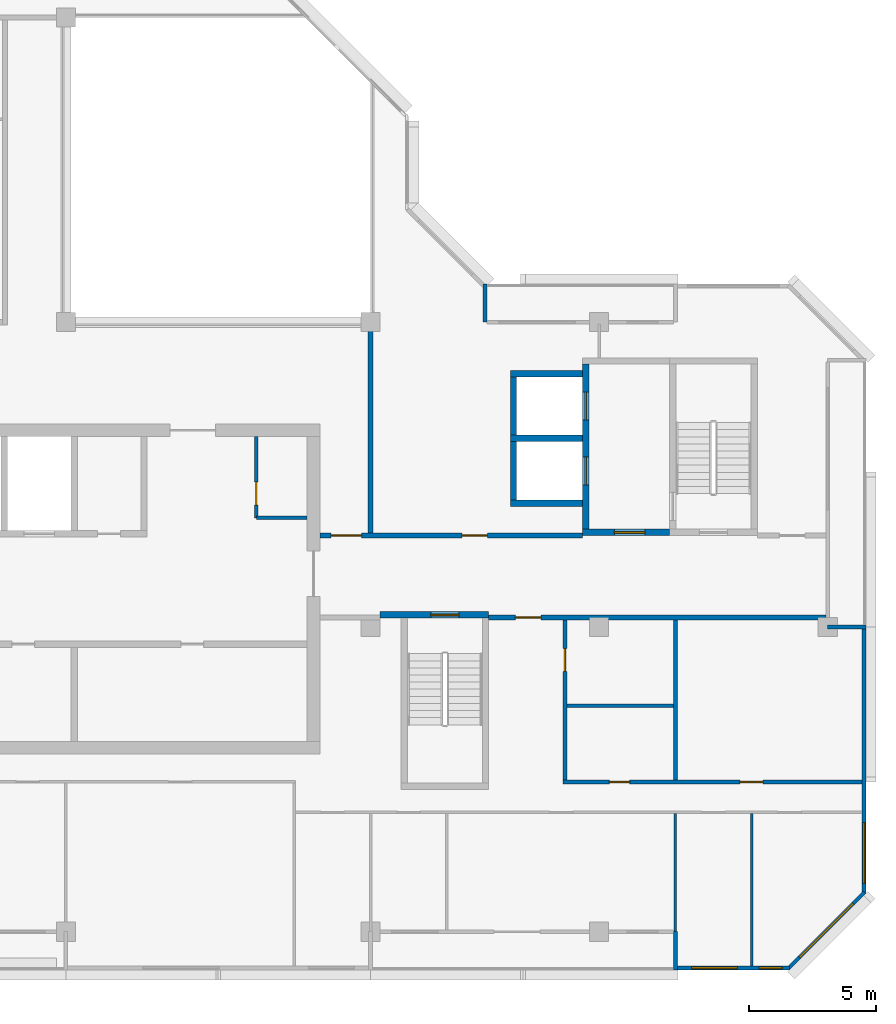
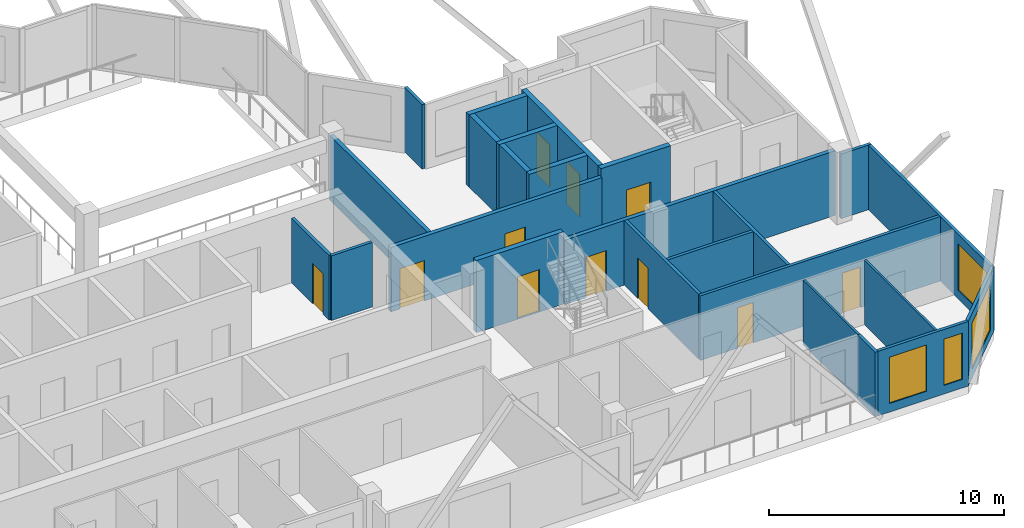
# One storey, part 6 of 11: 25 walls, 11 doors, 4 windows, 15 openings.
"""IFC4 building model written with IfcOpenShell, lengths in metres."""

from ifc_helpers import new_model, si_unit, direction, frame, frame_2d, origin, place, context, subcontext, project, spatial, rectangle, extrude, material, layer, layer_set, type_object, element, fill, save


model = new_model("IFC4")

# Units and contexts
model_context = context("Model", 3, precision=1e-05, world=origin(), true_north=direction((0.0, 1.0)))
body_context = subcontext(model_context, "Body", "Model", "MODEL_VIEW")
ifc_project = project(units=[si_unit("LENGTHUNIT", "METRE"), si_unit("AREAUNIT", "SQUARE_METRE"), si_unit("VOLUMEUNIT", "CUBIC_METRE"), si_unit("PLANEANGLEUNIT", "RADIAN"), si_unit("MASSUNIT", "GRAM", prefix="KILO")], contexts=[model_context])

# Site, building, storey
site_placement = place(None, origin())
site = spatial("IfcSite", under=ifc_project, at=site_placement, CompositionType="ELEMENT")
building_placement = place(site_placement, origin())
building = spatial("IfcBuilding", under=site, at=building_placement, Name="Chenar Terraces", CompositionType="ELEMENT")
storey_placement = place(building_placement, frame((0.0, 0.0, 376.39990234375)))
storey = spatial("IfcBuildingStorey", under=building, at=storey_placement, Name="L88", CompositionType="ELEMENT", Elevation=376.39990234375)

# Wall, opening, door
ifc_material_1 = material(Name="Gypsum board on steel studs", Category="steel")
ifc_layer_1 = layer(ifc_material_1, 0.14990234375)
ifc_layer_set_1 = layer_set([ifc_layer_1], Name="Gypsum board on steel studs")
wall_type_1 = type_object("IfcWallType", Name="Core partition 150 gypsum board", PredefinedType="PARTITIONING", material=ifc_layer_set_1)
wall_1_placement = place(storey_placement, frame((31.5, 16.300048828125, 0.0), z_axis=(0.0, 0.0, 1.0), x_axis=(0.0, 1.0, 0.0)))
wall_1 = element("IfcWall", 1, at=wall_1_placement, inside=storey, type_object=wall_type_1, Name="Core partition CP1 vestibule room west wall", PredefinedType="PARTITIONING", context=body_context, shape_type="SweptSolid", body=[
    extrude(rectangle(XDim=3.199951171875, YDim=0.14990234375, at=frame_2d((1.60009765625, 0.0))), origin(), (0.0, 0.0, 1.0), 3.35009765625),
])
opening_1_placement = place(wall_1_placement, frame((0.5, 0.0, 0.0)))
opening_1 = element("IfcOpeningElement", 2, at=opening_1_placement, cuts=wall_1, Name="Opening DL88-C17", PredefinedType="OPENING", context=body_context, shape_type="SweptSolid", body=[
    extrude(rectangle(XDim=0.89990234375, YDim=2.10009765625, at=frame_2d((0.449951171875, 1.050048828125))), frame((0.0, 0.0849609375, 0.0), z_axis=(0.0, -1.0, 0.0), x_axis=(1.0, 0.0, 0.0)), (0.0, 0.0, 1.0), 0.169921875),
])
ifc_material_2 = material(Name="Steel-framed fire-resisting door leaf", Category="steel")
door_type_1 = type_object("IfcDoorType", Name="Riser fire door FD60 900 x 2100", OperationType="SINGLE_SWING_LEFT", PredefinedType="DOOR", material=ifc_material_2)
door_1_placement = place(opening_1_placement, frame((0.89990234375, 0.0, 0.0), z_axis=(0.0, 0.0, 1.0), x_axis=(-1.0, 0.0, 0.0)))
door_1 = element("IfcDoor", 3, at=door_1_placement, inside=storey, type_object=door_type_1, Name="Core room door DL88-C17", OperationType="SINGLE_SWING_RIGHT", OverallHeight=2.10009765625, OverallWidth=0.89990234375, PredefinedType="DOOR", context=body_context, shape_type="SweptSolid", body=[
    extrude(rectangle(XDim=0.89990234375, YDim=2.10009765625, at=frame_2d((0.449951171875, 1.050048828125))), frame((0.0, 0.02490234375, 0.0), z_axis=(0.0, -1.0, 0.0), x_axis=(1.0, 0.0, 0.0)), (0.0, 0.0, 1.0), 0.050048828125),
])
fill(opening_1, door_1)

# Wall
wall_2_placement = place(storey_placement, frame((31.5, 16.300048828125, 0.0), z_axis=(0.0, 0.0, 1.0), x_axis=(1.0, 0.0, 0.0)))
element("IfcWall", 4, at=wall_2_placement, inside=storey, type_object=wall_type_1, Name="Core partition CP1 vestibule room south wall", PredefinedType="PARTITIONING", context=body_context, shape_type="SweptSolid", body=[
    extrude(rectangle(XDim=2.0, YDim=0.14990234375, at=frame_2d((1.0, 0.0))), origin(), (0.0, 0.0, 1.0), 3.35009765625),
])

# Wall, opening, door
ifc_material_3 = material(Name="Concrete C50/60", Category="concrete")
ifc_layer_2 = layer(ifc_material_3, 0.25)
ifc_layer_set_2 = layer_set([ifc_layer_2], Name="Concrete C50/60")
wall_type_2 = type_object("IfcWallType", Name="Core wall 250 Concrete C50/60", PredefinedType="SHEAR", material=ifc_layer_set_2)
wall_3_placement = place(storey_placement, frame((36.375, 12.47509765625, 0.0), z_axis=(0.0, 0.0, 1.0), x_axis=(1.0, 0.0, 0.0)))
wall_3 = element("IfcWall", 5, at=wall_3_placement, inside=storey, type_object=wall_type_2, Name="Core wall ST2_N L88", PredefinedType="SHEAR", context=body_context, shape_type="SweptSolid", body=[
    extrude(rectangle(XDim=4.27490234375, YDim=0.25, at=frame_2d((2.137451171875, 0.0))), origin(), (0.0, 0.0, 1.0), 3.75),
])
opening_2_placement = place(wall_3_placement, frame((2.0, 0.0, 0.0)))
opening_2 = element("IfcOpeningElement", 6, at=opening_2_placement, cuts=wall_3, Name="Opening DL88-C7", PredefinedType="OPENING", context=body_context, shape_type="SweptSolid", body=[
    extrude(rectangle(XDim=1.10009765625, YDim=2.199951171875, at=frame_2d((0.550048828125, 1.10009765625))), frame((0.0, 0.135009765625, 0.0), z_axis=(0.0, -1.0, 0.0), x_axis=(1.0, 0.0, 0.0)), (0.0, 0.0, 1.0), 0.27001953125),
])
ifc_material_4 = material(Name="Steel-framed fire-resisting door leaf", Category="steel")
door_type_2 = type_object("IfcDoorType", Name="Stair fire door FD60 1100 x 2200", OperationType="SINGLE_SWING_LEFT", PredefinedType="DOOR", material=ifc_material_4)
door_2_placement = place(opening_2_placement, frame((1.10009765625, 0.0, 0.0), z_axis=(0.0, 0.0, 1.0), x_axis=(-1.0, 0.0, 0.0)))
door_2 = element("IfcDoor", 7, at=door_2_placement, inside=storey, type_object=door_type_2, Name="Stair door DL88-C7", OperationType="SINGLE_SWING_LEFT", OverallHeight=2.199951171875, OverallWidth=1.10009765625, PredefinedType="DOOR", context=body_context, shape_type="SweptSolid", body=[
    extrude(rectangle(XDim=1.10009765625, YDim=2.199951171875, at=frame_2d((0.550048828125, 1.10009765625))), frame((0.0, 0.02490234375, 0.0), z_axis=(0.0, -1.0, 0.0), x_axis=(1.0, 0.0, 0.0)), (0.0, 0.0, 1.0), 0.050048828125),
])
fill(opening_2, door_2)

wall_4_placement = place(storey_placement, frame((44.35009765625, 15.72509765625, 0.0), z_axis=(0.0, 0.0, 1.0), x_axis=(1.0, 0.0, 0.0)))
wall_4 = element("IfcWall", 8, at=wall_4_placement, inside=storey, type_object=wall_type_2, Name="Core wall F3_LS L88", PredefinedType="SHEAR", context=body_context, shape_type="SweptSolid", body=[
    extrude(rectangle(XDim=3.4248046875, YDim=0.25, at=frame_2d((1.71240234375, 0.0))), origin(), (0.0, 0.0, 1.0), 3.75),
])
opening_3_placement = place(wall_4_placement, frame((1.25, 0.0, 0.0)))
opening_3 = element("IfcOpeningElement", 9, at=opening_3_placement, cuts=wall_4, Name="Opening DL88-C10", PredefinedType="OPENING", context=body_context, shape_type="SweptSolid", body=[
    extrude(rectangle(XDim=1.199951171875, YDim=2.199951171875, at=frame_2d((0.60009765625, 1.10009765625))), frame((0.0, 0.135009765625, 0.0), z_axis=(0.0, -1.0, 0.0), x_axis=(1.0, 0.0, 0.0)), (0.0, 0.0, 1.0), 0.27001953125),
])
ifc_material_5 = material(Name="Steel-framed fire-resisting door leaf", Category="steel")
door_type_3 = type_object("IfcDoorType", Name="Lobby fire door FD60 1200 x 2200", OperationType="SINGLE_SWING_LEFT", PredefinedType="DOOR", material=ifc_material_5)
door_3_placement = place(opening_3_placement, origin())
door_3 = element("IfcDoor", 10, at=door_3_placement, inside=storey, type_object=door_type_3, Name="Core door DL88-C10", OperationType="SINGLE_SWING_RIGHT", OverallHeight=2.199951171875, OverallWidth=1.199951171875, PredefinedType="DOOR", context=body_context, shape_type="SweptSolid", body=[
    extrude(rectangle(XDim=1.199951171875, YDim=2.199951171875, at=frame_2d((0.60009765625, 1.10009765625))), frame((0.0, 0.02490234375, 0.0), z_axis=(0.0, -1.0, 0.0), x_axis=(1.0, 0.0, 0.0)), (0.0, 0.0, 1.0), 0.050048828125),
])
fill(opening_3, door_3)

# Wall, openings, doors
wall_5_placement = place(storey_placement, frame((44.47509765625, 15.85009765625, 0.0), z_axis=(0.0, 0.0, 1.0), x_axis=(0.0, 1.0, 0.0)))
wall_5 = element("IfcWall", 11, at=wall_5_placement, inside=storey, type_object=wall_type_2, Name="Core wall F3_LW L88", PredefinedType="SHEAR", context=body_context, shape_type="SweptSolid", body=[
    extrude(rectangle(XDim=6.5, YDim=0.25, at=frame_2d((3.25, 0.0))), origin(), (0.0, 0.0, 1.0), 3.75),
])
opening_4_placement = place(wall_5_placement, frame((1.75, 0.0, 0.0)))
opening_4 = element("IfcOpeningElement", 12, at=opening_4_placement, cuts=wall_5, Name="Opening DL88-LD8", PredefinedType="OPENING", context=body_context, shape_type="SweptSolid", body=[
    extrude(rectangle(XDim=1.10009765625, YDim=2.199951171875, at=frame_2d((0.550048828125, 1.10009765625))), frame((0.0, 0.135009765625, 0.0), z_axis=(0.0, -1.0, 0.0), x_axis=(1.0, 0.0, 0.0)), (0.0, 0.0, 1.0), 0.27001953125),
])
opening_5_placement = place(wall_5_placement, frame((4.300048828125, 0.0, 0.0)))
opening_5 = element("IfcOpeningElement", 13, at=opening_5_placement, cuts=wall_5, Name="Opening DL88-LD9", PredefinedType="OPENING", context=body_context, shape_type="SweptSolid", body=[
    extrude(rectangle(XDim=1.10009765625, YDim=2.199951171875, at=frame_2d((0.550048828125, 1.10009765625))), frame((0.0, 0.135009765625, 0.0), z_axis=(0.0, -1.0, 0.0), x_axis=(1.0, 0.0, 0.0)), (0.0, 0.0, 1.0), 0.27001953125),
])
ifc_material_6 = material(Name="Stainless steel", Category="steel")
door_type_4 = type_object("IfcDoorType", Name="Lift landing door 1100 x 2200 sliding", OperationType="DOUBLE_DOOR_SLIDING", PredefinedType="DOOR", material=ifc_material_6)
door_4_placement = place(opening_4_placement, origin())
door_4 = element("IfcDoor", 14, at=door_4_placement, inside=storey, type_object=door_type_4, Name="Landing door F3", OperationType="DOUBLE_DOOR_SLIDING", OverallHeight=2.199951171875, OverallWidth=1.10009765625, PredefinedType="DOOR", context=body_context, shape_type="SweptSolid", body=[
    extrude(rectangle(XDim=1.10009765625, YDim=2.199951171875, at=frame_2d((0.550048828125, 1.10009765625))), frame((0.0, 0.02490234375, 0.0), z_axis=(0.0, -1.0, 0.0), x_axis=(1.0, 0.0, 0.0)), (0.0, 0.0, 1.0), 0.050048828125),
])
fill(opening_4, door_4)
door_5_placement = place(opening_5_placement, origin())
door_5 = element("IfcDoor", 15, at=door_5_placement, inside=storey, type_object=door_type_4, Name="Landing door F4", OperationType="DOUBLE_DOOR_SLIDING", OverallHeight=2.199951171875, OverallWidth=1.10009765625, PredefinedType="DOOR", context=body_context, shape_type="SweptSolid", body=[
    extrude(rectangle(XDim=1.10009765625, YDim=2.199951171875, at=frame_2d((0.550048828125, 1.10009765625))), frame((0.0, 0.02490234375, 0.0), z_axis=(0.0, -1.0, 0.0), x_axis=(1.0, 0.0, 0.0)), (0.0, 0.0, 1.0), 0.050048828125),
])
fill(opening_5, door_5)

# Walls
for number, where, z_axis, x_axis, name in (
    (16, (41.5, 16.875, 0.0), (0.0, 0.0, 1.0), (1.0, 0.0, 0.0), "Core wall F3_SS L88"),
    (17, (41.5, 19.425048828125, 0.0), (0.0, 0.0, 1.0), (1.0, 0.0, 0.0), "Core wall F3_SM L88"),
    (18, (41.5, 21.97509765625, 0.0), (0.0, 0.0, 1.0), (1.0, 0.0, 0.0), "Core wall F4_SN L88"),
):
    element("IfcWall", number, at=place(storey_placement, frame(where, z_axis=z_axis, x_axis=x_axis)), inside=storey, type_object=wall_type_2, Name=name, PredefinedType="SHEAR", context=body_context, shape_type="SweptSolid", body=[
        extrude(rectangle(XDim=2.85009765625, YDim=0.25, at=frame_2d((1.425048828125, 0.0))), origin(), (0.0, 0.0, 1.0), 3.75),
    ])
for number, where, z_axis, x_axis, name in (
    (19, (41.625, 17.0, 0.0), (0.0, 0.0, 1.0), (0.0, 1.0, 0.0), "Core wall F3_SW L88"),
    (20, (41.625, 19.550048828125, 0.0), (0.0, 0.0, 1.0), (0.0, 1.0, 0.0), "Core wall F4_SW L88"),
):
    element("IfcWall", number, at=place(storey_placement, frame(where, z_axis=z_axis, x_axis=x_axis)), inside=storey, type_object=wall_type_2, Name=name, PredefinedType="SHEAR", context=body_context, shape_type="SweptSolid", body=[
        extrude(rectangle(XDim=2.300048828125, YDim=0.25, at=frame_2d((1.14990234375, 0.0))), origin(), (0.0, 0.0, 1.0), 3.75),
    ])

# Wall, openings, doors
ifc_material_7 = material(Name="Gypsum board on steel studs with fire boards", Category="steel")
ifc_layer_3 = layer(ifc_material_7, 0.199951171875)
ifc_layer_set_3 = layer_set([ifc_layer_3], Name="Gypsum board on steel studs with fire boards")
wall_type_3 = type_object("IfcWallType", Name="Corridor wall 200", PredefinedType="PARTITIONING", material=ifc_layer_set_3)
wall_6_placement = place(storey_placement, frame((34.0, 15.60009765625, 0.0), z_axis=(0.0, 0.0, 1.0), x_axis=(1.0, 0.0, 0.0)))
wall_6 = element("IfcWall", 21, at=wall_6_placement, inside=storey, type_object=wall_type_3, Name="Partition L88-049", PredefinedType="PARTITIONING", context=body_context, shape_type="SweptSolid", body=[
    extrude(rectangle(XDim=10.35009765625, YDim=0.199951171875, at=frame_2d((5.175048828125, 0.0))), origin(), (0.0, 0.0, 1.0), 3.35009765625),
])
opening_6_placement = place(wall_6_placement, frame((5.60009765625, 0.0, 0.0)))
opening_6 = element("IfcOpeningElement", 22, at=opening_6_placement, cuts=wall_6, Name="Opening DL88-3", PredefinedType="OPENING", context=body_context, shape_type="SweptSolid", body=[
    extrude(rectangle(XDim=1.0, YDim=2.10009765625, at=frame_2d((0.5, 1.050048828125))), frame((0.0, 0.10986328125, 0.0), z_axis=(0.0, -1.0, 0.0), x_axis=(1.0, 0.0, 0.0)), (0.0, 0.0, 1.0), 0.219970703125),
])
opening_7_placement = place(wall_6_placement, frame((0.449951171875, 0.0, 0.0)))
opening_7 = element("IfcOpeningElement", 23, at=opening_7_placement, cuts=wall_6, Name="Opening DL88-17", PredefinedType="OPENING", context=body_context, shape_type="SweptSolid", body=[
    extrude(rectangle(XDim=1.199951171875, YDim=2.10009765625, at=frame_2d((0.60009765625, 1.050048828125))), frame((0.0, 0.10986328125, 0.0), z_axis=(0.0, -1.0, 0.0), x_axis=(1.0, 0.0, 0.0)), (0.0, 0.0, 1.0), 0.219970703125),
])
ifc_material_8 = material(Name="Steel-framed fire-resisting door leaf", Category="steel")
door_type_5 = type_object("IfcDoorType", Name="Fire door FD60 1000 x 2100", OperationType="SINGLE_SWING_LEFT", PredefinedType="DOOR", material=ifc_material_8)
door_6_placement = place(opening_6_placement, origin())
door_6 = element("IfcDoor", 24, at=door_6_placement, inside=storey, type_object=door_type_5, Name="Door DL88-3", OperationType="SINGLE_SWING_RIGHT", OverallHeight=2.10009765625, OverallWidth=1.0, PredefinedType="DOOR", context=body_context, shape_type="SweptSolid", body=[
    extrude(rectangle(XDim=1.0, YDim=2.10009765625, at=frame_2d((0.5, 1.050048828125))), frame((0.0, 0.02490234375, 0.0), z_axis=(0.0, -1.0, 0.0), x_axis=(1.0, 0.0, 0.0)), (0.0, 0.0, 1.0), 0.050048828125),
])
fill(opening_6, door_6)
ifc_material_9 = material(Name="Steel-framed fire-resisting door leaf", Category="steel")
door_type_6 = type_object("IfcDoorType", Name="Fire door FD60 1200 x 2100", OperationType="SINGLE_SWING_LEFT", PredefinedType="DOOR", material=ifc_material_9)
door_7_placement = place(opening_7_placement, origin())
door_7 = element("IfcDoor", 25, at=door_7_placement, inside=storey, type_object=door_type_6, Name="Door DL88-17", OperationType="SINGLE_SWING_RIGHT", OverallHeight=2.10009765625, OverallWidth=1.199951171875, PredefinedType="DOOR", context=body_context, shape_type="SweptSolid", body=[
    extrude(rectangle(XDim=1.199951171875, YDim=2.10009765625, at=frame_2d((0.60009765625, 1.050048828125))), frame((0.0, 0.02490234375, 0.0), z_axis=(0.0, -1.0, 0.0), x_axis=(1.0, 0.0, 0.0)), (0.0, 0.0, 1.0), 0.050048828125),
])
fill(opening_7, door_7)

# Wall
wall_7_placement = place(storey_placement, frame((36.0, 15.699951171875, 0.0), z_axis=(0.0, 0.0, 1.0), x_axis=(0.0, 1.0, 0.0)))
element("IfcWall", 26, at=wall_7_placement, inside=storey, type_object=wall_type_3, Name="Partition L88-051", PredefinedType="PARTITIONING", context=body_context, shape_type="SweptSolid", body=[
    extrude(rectangle(XDim=8.300048828125, YDim=0.199951171875, at=frame_2d((4.14990234375, 0.0))), origin(), (0.0, 0.0, 1.0), 3.35009765625),
])

# Wall, opening, door
wall_8_placement = place(storey_placement, frame((40.64990234375, 12.375, 0.0), z_axis=(0.0, 0.0, 1.0), x_axis=(1.0, 0.0, 0.0)))
wall_8 = element("IfcWall", 27, at=wall_8_placement, inside=storey, type_object=wall_type_3, Name="Partition L88-053", PredefinedType="PARTITIONING", context=body_context, shape_type="SweptSolid", body=[
    extrude(rectangle(XDim=13.276123046875, YDim=0.199951171875, at=frame_2d((6.63818359375, 0.0))), origin(), (0.0, 0.0, 1.0), 3.35009765625),
])
opening_8_placement = place(wall_8_placement, frame((1.050048828125, 0.0, 0.0)))
opening_8 = element("IfcOpeningElement", 28, at=opening_8_placement, cuts=wall_8, Name="Opening DL88-33", PredefinedType="OPENING", context=body_context, shape_type="SweptSolid", body=[
    extrude(rectangle(XDim=1.0, YDim=2.10009765625, at=frame_2d((0.5, 1.050048828125))), frame((0.0, 0.10986328125, 0.0), z_axis=(0.0, -1.0, 0.0), x_axis=(1.0, 0.0, 0.0)), (0.0, 0.0, 1.0), 0.219970703125),
])
ifc_material_10 = material(Name="Steel-framed fire-resisting door leaf", Category="steel")
door_type_7 = type_object("IfcDoorType", Name="Fire door FD30S 1000 x 2100", OperationType="SINGLE_SWING_LEFT", PredefinedType="DOOR", material=ifc_material_10)
door_8_placement = place(opening_8_placement, origin())
door_8 = element("IfcDoor", 29, at=door_8_placement, inside=storey, type_object=door_type_7, Name="Door DL88-33", OperationType="SINGLE_SWING_LEFT", OverallHeight=2.10009765625, OverallWidth=1.0, PredefinedType="DOOR", context=body_context, shape_type="SweptSolid", body=[
    extrude(rectangle(XDim=1.0, YDim=2.10009765625, at=frame_2d((0.5, 1.050048828125))), frame((0.0, 0.02490234375, 0.0), z_axis=(0.0, -1.0, 0.0), x_axis=(1.0, 0.0, 0.0)), (0.0, 0.0, 1.0), 0.050048828125),
])
fill(opening_8, door_8)

# Wall, openings, windows
ifc_material_11 = material(Name="Aluminium framed glazing", Category="aluminium")
ifc_layer_4 = layer(ifc_material_11, 0.14990234375)
ifc_layer_set_4 = layer_set([ifc_layer_4], Name="Aluminium framed glazing")
wall_type_4 = type_object("IfcWallType", Name="Glazed flush facade wall 150", PredefinedType="SOLIDWALL", material=ifc_layer_set_4)
wall_9_placement = place(storey_placement, frame((48.074951171875, -1.425048828125, 0.0), z_axis=(0.0, 0.0, 1.0), x_axis=(1.0, 0.0, 0.0)))
wall_9 = element("IfcWall", 30, at=wall_9_placement, inside=storey, type_object=wall_type_4, Name="Glazed flush facade wall", PredefinedType="SOLIDWALL", context=body_context, shape_type="SweptSolid", body=[
    extrude(rectangle(XDim=4.425048828125, YDim=0.14990234375, at=frame_2d((2.21240234375, 0.0))), origin(), (0.0, 0.0, 1.0), 3.35009765625),
])
opening_9_placement = place(wall_9_placement, frame((0.5625, 0.0, 0.449951171875)))
opening_9 = element("IfcOpeningElement", 31, at=opening_9_placement, cuts=wall_9, Name="Opening W180x240", PredefinedType="OPENING", context=body_context, shape_type="SweptSolid", body=[
    extrude(rectangle(XDim=1.800048828125, YDim=2.39990234375, at=frame_2d((0.89990234375, 1.199951171875))), frame((0.0, 0.0849609375, 0.0), z_axis=(0.0, -1.0, 0.0), x_axis=(1.0, 0.0, 0.0)), (0.0, 0.0, 1.0), 0.169921875),
])
opening_10_placement = place(wall_9_placement, frame((3.22509765625, 0.0, 0.449951171875)))
opening_10 = element("IfcOpeningElement", 32, at=opening_10_placement, cuts=wall_9, Name="Opening W90x240", PredefinedType="OPENING", context=body_context, shape_type="SweptSolid", body=[
    extrude(rectangle(XDim=0.89990234375, YDim=2.39990234375, at=frame_2d((0.449951171875, 1.199951171875))), frame((0.0, 0.0849609375, 0.0), z_axis=(0.0, -1.0, 0.0), x_axis=(1.0, 0.0, 0.0)), (0.0, 0.0, 1.0), 0.169921875),
])
ifc_material_12 = material(Name="Low emissivity double glazing, aluminium frame", Category="aluminium")
window_type_1 = type_object("IfcWindowType", Name="Fixed light 1800 x 2400", PartitioningType="SINGLE_PANEL", PredefinedType="WINDOW", material=ifc_material_12)
window_1_placement = place(opening_9_placement, origin())
window_1 = element("IfcWindow", 33, at=window_1_placement, inside=storey, type_object=window_type_1, Name="Window", OverallHeight=2.39990234375, OverallWidth=1.800048828125, PartitioningType="SINGLE_PANEL", PredefinedType="WINDOW", context=body_context, shape_type="SweptSolid", body=[
    extrude(rectangle(XDim=1.800048828125, YDim=2.39990234375, at=frame_2d((0.89990234375, 1.199951171875))), frame((0.0, 0.030029296875, 0.0), z_axis=(0.0, -1.0, 0.0), x_axis=(1.0, 0.0, 0.0)), (0.0, 0.0, 1.0), 0.06005859375),
])
fill(opening_9, window_1)
ifc_material_13 = material(Name="Low emissivity double glazing, aluminium frame", Category="aluminium")
window_type_2 = type_object("IfcWindowType", Name="Fixed light 900 x 2400", PartitioningType="SINGLE_PANEL", PredefinedType="WINDOW", material=ifc_material_13)
window_2_placement = place(opening_10_placement, origin())
window_2 = element("IfcWindow", 34, at=window_2_placement, inside=storey, type_object=window_type_2, Name="Window", OverallHeight=2.39990234375, OverallWidth=0.89990234375, PartitioningType="SINGLE_PANEL", PredefinedType="WINDOW", context=body_context, shape_type="SweptSolid", body=[
    extrude(rectangle(XDim=0.89990234375, YDim=2.39990234375, at=frame_2d((0.449951171875, 1.199951171875))), frame((0.0, 0.030029296875, 0.0), z_axis=(0.0, -1.0, 0.0), x_axis=(1.0, 0.0, 0.0)), (0.0, 0.0, 1.0), 0.06005859375),
])
fill(opening_10, window_2)

# Wall, opening, window
wall_10_placement = place(storey_placement, frame((55.425048828125, 1.5, 0.0), z_axis=(0.0, 0.0, 1.0), x_axis=(0.0, 1.0, 0.0)))
wall_10 = element("IfcWall", 35, at=wall_10_placement, inside=storey, type_object=wall_type_4, Name="Glazed flush facade wall", PredefinedType="SOLIDWALL", context=body_context, shape_type="SweptSolid", body=[
    extrude(rectangle(XDim=10.425048828125, YDim=0.14990234375, at=frame_2d((5.21240234375, 0.0))), origin(), (0.0, 0.0, 1.0), 3.35009765625),
])
opening_11_placement = place(wall_10_placement, frame((0.39990234375, 0.0, 0.449951171875)))
opening_11 = element("IfcOpeningElement", 36, at=opening_11_placement, cuts=wall_10, Name="Opening W240x240", PredefinedType="OPENING", context=body_context, shape_type="SweptSolid", body=[
    extrude(rectangle(XDim=2.39990234375, YDim=2.39990234375, at=frame_2d((1.199951171875, 1.199951171875))), frame((0.0, 0.0849609375, 0.0), z_axis=(0.0, -1.0, 0.0), x_axis=(1.0, 0.0, 0.0)), (0.0, 0.0, 1.0), 0.169921875),
])
ifc_material_14 = material(Name="Low emissivity double glazing, aluminium frame", Category="aluminium")
window_type_3 = type_object("IfcWindowType", Name="Fixed light 2400 x 2400", PartitioningType="SINGLE_PANEL", PredefinedType="WINDOW", material=ifc_material_14)
window_3_placement = place(opening_11_placement, origin())
window_3 = element("IfcWindow", 37, at=window_3_placement, inside=storey, type_object=window_type_3, Name="Window", OverallHeight=2.39990234375, OverallWidth=2.39990234375, PartitioningType="SINGLE_PANEL", PredefinedType="WINDOW", context=body_context, shape_type="SweptSolid", body=[
    extrude(rectangle(XDim=2.39990234375, YDim=2.39990234375, at=frame_2d((1.199951171875, 1.199951171875))), frame((0.0, 0.030029296875, 0.0), z_axis=(0.0, -1.0, 0.0), x_axis=(1.0, 0.0, 0.0)), (0.0, 0.0, 1.0), 0.06005859375),
])
fill(opening_11, window_3)

# Walls
ifc_material_15 = material(Name="Gypsum board on steel studs", Category="steel")
ifc_layer_5 = layer(ifc_material_15, 0.10009765625)
ifc_layer_set_5 = layer_set([ifc_layer_5], Name="Gypsum board on steel studs")
wall_type_5 = type_object("IfcWallType", Name="Gypsum partition 100", PredefinedType="PARTITIONING", material=ifc_layer_set_5)
wall_11_placement = place(storey_placement, frame((48.0, 0.0, 0.0), z_axis=(0.0, 0.0, 1.0), x_axis=(0.0, 1.0, 0.0)))
element("IfcWall", 38, at=wall_11_placement, inside=storey, type_object=wall_type_5, Name="Partition L88-058", PredefinedType="PARTITIONING", context=body_context, shape_type="SweptSolid", body=[
    extrude(rectangle(XDim=4.64990234375, YDim=0.10009765625, at=frame_2d((2.324951171875, 0.0))), origin(), (0.0, 0.0, 1.0), 3.35009765625),
])
wall_12_placement = place(storey_placement, frame((51.0, -1.35107421875, 0.0), z_axis=(0.0, 0.0, 1.0), x_axis=(0.0, 1.0, 0.0)))
element("IfcWall", 39, at=wall_12_placement, inside=storey, type_object=wall_type_5, Name="Partition L88-060", PredefinedType="PARTITIONING", context=body_context, shape_type="SweptSolid", body=[
    extrude(rectangle(XDim=6.0009765625, YDim=0.10009765625, at=frame_2d((3.00048828125, 0.0))), origin(), (0.0, 0.0, 1.0), 3.35009765625),
])
ifc_material_16 = material(Name="Terracotta cladding on insulated backing", Category="masonry")
ifc_layer_6 = layer(ifc_material_16, 0.14990234375)
ifc_layer_set_6 = layer_set([ifc_layer_6], Name="Terracotta cladding on insulated backing")
wall_type_6 = type_object("IfcWallType", Name="Loggia return wall 150", PredefinedType="SOLIDWALL", material=ifc_layer_set_6)
for number, where, z_axis, x_axis, name in (
    (40, (40.5, 25.5, 0.0), (0.0, 0.0, 1.0), (0.0, -1.0, 0.0), "Loggia return wall"),
    (41, (48.0, -1.5, 0.0), (0.0, 0.0, 1.0), (0.0, 1.0, 0.0), "Loggia return wall"),
    (42, (55.5, 12.0, 0.0), (0.0, 0.0, 1.0), (-1.0, 0.0, 0.0), "Loggia return wall"),
):
    element("IfcWall", number, at=place(storey_placement, frame(where, z_axis=z_axis, x_axis=x_axis)), inside=storey, type_object=wall_type_6, Name=name, PredefinedType="SOLIDWALL", context=body_context, shape_type="SweptSolid", body=[
        extrude(rectangle(XDim=1.5, YDim=0.14990234375, at=frame_2d((0.75, 0.0))), origin(), (0.0, 0.0, 1.0), 3.35009765625),
    ])

# Wall, opening, window
ifc_material_17 = material(Name="Terracotta cladding on insulated backing", Category="masonry")
ifc_layer_7 = layer(ifc_material_17, 0.14990234375)
ifc_layer_set_7 = layer_set([ifc_layer_7], Name="Terracotta cladding on insulated backing")
wall_type_7 = type_object("IfcWallType", Name="Terracotta rainscreen wall 150", PredefinedType="SOLIDWALL", material=ifc_layer_set_7)
wall_13_placement = place(storey_placement, frame((52.447021484375, -1.447021484375, 0.0), z_axis=(0.0, 0.0, 1.0), x_axis=(0.707106781187, 0.707106781187, 0.0)))
wall_13 = element("IfcWall", 43, at=wall_13_placement, inside=storey, type_object=wall_type_7, Name="Terracotta rainscreen wall", PredefinedType="SOLIDWALL", context=body_context, shape_type="SweptSolid", body=[
    extrude(rectangle(XDim=4.24267578125, YDim=0.14990234375, at=frame_2d((2.121337890625, 0.0))), origin(), (0.0, 0.0, 1.0), 3.35009765625),
])
opening_12_placement = place(wall_13_placement, frame((0.621337890625, 0.0, 0.449951171875)))
opening_12 = element("IfcOpeningElement", 44, at=opening_12_placement, cuts=wall_13, Name="Opening W300x240", PredefinedType="OPENING", context=body_context, shape_type="SweptSolid", body=[
    extrude(rectangle(XDim=3.0, YDim=2.39990234375, at=frame_2d((1.5, 1.199951171875))), frame((0.0, 0.0849609375, 0.0), z_axis=(0.0, -1.0, 0.0), x_axis=(1.0, 0.0, 0.0)), (0.0, 0.0, 1.0), 0.169921875),
])
ifc_material_18 = material(Name="Low emissivity double glazing, aluminium frame", Category="aluminium")
window_type_4 = type_object("IfcWindowType", Name="Fixed light 3000 x 2400", PartitioningType="SINGLE_PANEL", PredefinedType="WINDOW", material=ifc_material_18)
window_4_placement = place(opening_12_placement, origin())
window_4 = element("IfcWindow", 45, at=window_4_placement, inside=storey, type_object=window_type_4, Name="Window", OverallHeight=2.39990234375, OverallWidth=3.0, PartitioningType="SINGLE_PANEL", PredefinedType="WINDOW", context=body_context, shape_type="SweptSolid", body=[
    extrude(rectangle(XDim=3.0, YDim=2.39990234375, at=frame_2d((1.5, 1.199951171875))), frame((0.0, 0.030029296875, 0.0), z_axis=(0.0, -1.0, 0.0), x_axis=(1.0, 0.0, 0.0)), (0.0, 0.0, 1.0), 0.06005859375),
])
fill(opening_12, window_4)

# Wall, openings, doors
ifc_material_19 = material(Name="Moisture-resistant gypsum board on steel studs", Category="steel")
ifc_layer_8 = layer(ifc_material_19, 0.14990234375)
ifc_layer_set_8 = layer_set([ifc_layer_8], Name="Moisture-resistant gypsum board on steel studs")
wall_type_8 = type_object("IfcWallType", Name="Wet-room partition 150", PredefinedType="PARTITIONING", material=ifc_layer_set_8)
wall_14_placement = place(storey_placement, frame((43.574951171875, 5.89990234375, 0.0), z_axis=(0.0, 0.0, 1.0), x_axis=(1.0, 0.0, 0.0)))
wall_14 = element("IfcWall", 46, at=wall_14_placement, inside=storey, type_object=wall_type_8, Name="Partition L88-054", PredefinedType="PARTITIONING", context=body_context, shape_type="SweptSolid", body=[
    extrude(rectangle(XDim=11.775146484375, YDim=0.14990234375, at=frame_2d((5.8876953125, 0.0))), origin(), (0.0, 0.0, 1.0), 3.35009765625),
])
opening_13_placement = place(wall_14_placement, frame((1.824951171875, 0.0, 0.0)))
opening_13 = element("IfcOpeningElement", 47, at=opening_13_placement, cuts=wall_14, Name="Opening DL88-22", PredefinedType="OPENING", context=body_context, shape_type="SweptSolid", body=[
    extrude(rectangle(XDim=0.800048828125, YDim=2.10009765625, at=frame_2d((0.39990234375, 1.050048828125))), frame((0.0, 0.0849609375, 0.0), z_axis=(0.0, -1.0, 0.0), x_axis=(1.0, 0.0, 0.0)), (0.0, 0.0, 1.0), 0.169921875),
])
opening_14_placement = place(wall_14_placement, frame((6.97509765625, 0.0, 0.0)))
opening_14 = element("IfcOpeningElement", 48, at=opening_14_placement, cuts=wall_14, Name="Opening DL88-37", PredefinedType="OPENING", context=body_context, shape_type="SweptSolid", body=[
    extrude(rectangle(XDim=0.89990234375, YDim=2.10009765625, at=frame_2d((0.449951171875, 1.050048828125))), frame((0.0, 0.0849609375, 0.0), z_axis=(0.0, -1.0, 0.0), x_axis=(1.0, 0.0, 0.0)), (0.0, 0.0, 1.0), 0.169921875),
])
ifc_material_20 = material(Name="Veneered timber door leaf", Category="wood")
door_type_8 = type_object("IfcDoorType", Name="Door 800 x 2100", OperationType="SINGLE_SWING_LEFT", PredefinedType="DOOR", material=ifc_material_20)
door_9_placement = place(opening_13_placement, origin())
door_9 = element("IfcDoor", 49, at=door_9_placement, inside=storey, type_object=door_type_8, Name="Door DL88-22", OperationType="SINGLE_SWING_RIGHT", OverallHeight=2.10009765625, OverallWidth=0.800048828125, PredefinedType="DOOR", context=body_context, shape_type="SweptSolid", body=[
    extrude(rectangle(XDim=0.800048828125, YDim=2.10009765625, at=frame_2d((0.39990234375, 1.050048828125))), frame((0.0, 0.02490234375, 0.0), z_axis=(0.0, -1.0, 0.0), x_axis=(1.0, 0.0, 0.0)), (0.0, 0.0, 1.0), 0.050048828125),
])
fill(opening_13, door_9)
ifc_material_21 = material(Name="Veneered timber door leaf", Category="wood")
door_type_9 = type_object("IfcDoorType", Name="Door 900 x 2100", OperationType="SINGLE_SWING_LEFT", PredefinedType="DOOR", material=ifc_material_21)
door_10_placement = place(opening_14_placement, origin())
door_10 = element("IfcDoor", 50, at=door_10_placement, inside=storey, type_object=door_type_9, Name="Door DL88-37", OperationType="SINGLE_SWING_RIGHT", OverallHeight=2.10009765625, OverallWidth=0.89990234375, PredefinedType="DOOR", context=body_context, shape_type="SweptSolid", body=[
    extrude(rectangle(XDim=0.89990234375, YDim=2.10009765625, at=frame_2d((0.449951171875, 1.050048828125))), frame((0.0, 0.02490234375, 0.0), z_axis=(0.0, -1.0, 0.0), x_axis=(1.0, 0.0, 0.0)), (0.0, 0.0, 1.0), 0.050048828125),
])
fill(opening_14, door_10)

# Wall, opening, door
wall_15_placement = place(storey_placement, frame((43.64990234375, 5.97509765625, 0.0), z_axis=(0.0, 0.0, 1.0), x_axis=(0.0, 1.0, 0.0)))
wall_15 = element("IfcWall", 51, at=wall_15_placement, inside=storey, type_object=wall_type_8, Name="Partition L88-055", PredefinedType="PARTITIONING", context=body_context, shape_type="SweptSolid", body=[
    extrude(rectangle(XDim=6.2998046875, YDim=0.14990234375, at=frame_2d((3.14990234375, 0.0))), origin(), (0.0, 0.0, 1.0), 3.35009765625),
])
opening_15_placement = place(wall_15_placement, frame((4.27490234375, 0.0, 0.0)))
opening_15 = element("IfcOpeningElement", 52, at=opening_15_placement, cuts=wall_15, Name="Opening DL88-34", PredefinedType="OPENING", context=body_context, shape_type="SweptSolid", body=[
    extrude(rectangle(XDim=0.89990234375, YDim=2.10009765625, at=frame_2d((0.449951171875, 1.050048828125))), frame((0.0, 0.0849609375, 0.0), z_axis=(0.0, -1.0, 0.0), x_axis=(1.0, 0.0, 0.0)), (0.0, 0.0, 1.0), 0.169921875),
])
door_11_placement = place(opening_15_placement, frame((0.89990234375, 0.0, 0.0), z_axis=(0.0, 0.0, 1.0), x_axis=(-1.0, 0.0, 0.0)))
door_11 = element("IfcDoor", 53, at=door_11_placement, inside=storey, type_object=door_type_9, Name="Door DL88-34", OperationType="SINGLE_SWING_LEFT", OverallHeight=2.10009765625, OverallWidth=0.89990234375, PredefinedType="DOOR", context=body_context, shape_type="SweptSolid", body=[
    extrude(rectangle(XDim=0.89990234375, YDim=2.10009765625, at=frame_2d((0.449951171875, 1.050048828125))), frame((0.0, 0.02490234375, 0.0), z_axis=(0.0, -1.0, 0.0), x_axis=(1.0, 0.0, 0.0)), (0.0, 0.0, 1.0), 0.050048828125),
])
fill(opening_15, door_11)

# Walls
wall_16_placement = place(storey_placement, frame((43.72509765625, 8.89990234375, 0.0), z_axis=(0.0, 0.0, 1.0), x_axis=(1.0, 0.0, 0.0)))
element("IfcWall", 54, at=wall_16_placement, inside=storey, type_object=wall_type_8, Name="Partition L88-056", PredefinedType="PARTITIONING", context=body_context, shape_type="SweptSolid", body=[
    extrude(rectangle(XDim=4.199951171875, YDim=0.14990234375, at=frame_2d((2.10009765625, 0.0))), origin(), (0.0, 0.0, 1.0), 3.35009765625),
])
wall_17_placement = place(storey_placement, frame((48.0, 5.97509765625, 0.0), z_axis=(0.0, 0.0, 1.0), x_axis=(0.0, 1.0, 0.0)))
element("IfcWall", 55, at=wall_17_placement, inside=storey, type_object=wall_type_8, Name="Partition L88-059", PredefinedType="PARTITIONING", context=body_context, shape_type="SweptSolid", body=[
    extrude(rectangle(XDim=6.2998046875, YDim=0.14990234375, at=frame_2d((3.14990234375, 0.0))), origin(), (0.0, 0.0, 1.0), 3.35009765625),
])

save(model, "model.ifc")
